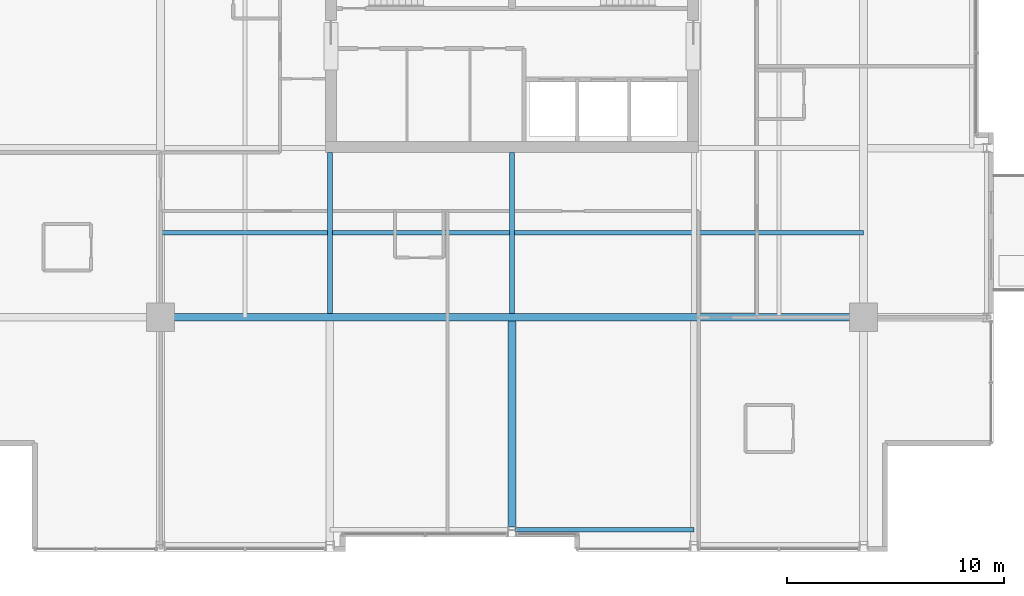
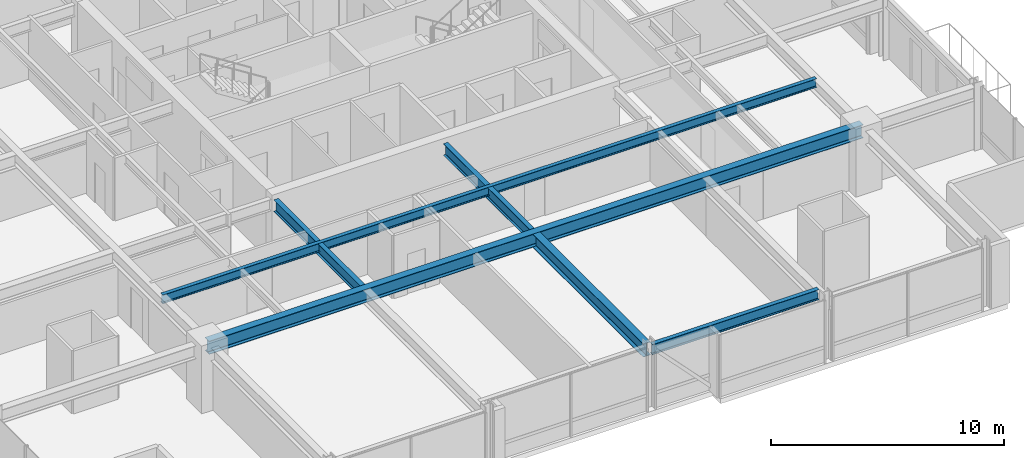
# One storey, part 6 of 33: 6 beams.
"""IFC4 building model written with IfcOpenShell, lengths in metres."""

from ifc_helpers import new_model, si_unit, direction, frame, origin, origin_2d, place, context, subcontext, project, spatial, i_section, extrude, material, material_profile, profile_set, type_object, element, save


model = new_model("IFC4")

# Units and contexts
model_context = context("Model", 3, precision=1e-05, world=origin(), true_north=direction((0.0, 1.0)))
body_context = subcontext(model_context, "Body", "Model", "MODEL_VIEW")
ifc_project = project(units=[si_unit("LENGTHUNIT", "METRE"), si_unit("AREAUNIT", "SQUARE_METRE"), si_unit("VOLUMEUNIT", "CUBIC_METRE"), si_unit("PLANEANGLEUNIT", "RADIAN"), si_unit("MASSUNIT", "GRAM", prefix="KILO")], contexts=[model_context])

# Site, building, storey
site_placement = place(None, origin())
site = spatial("IfcSite", under=ifc_project, at=site_placement, CompositionType="ELEMENT")
building_placement = place(site_placement, origin())
building = spatial("IfcBuilding", under=site, at=building_placement, Name="Drelvath Grand Hotel", CompositionType="ELEMENT")
storey_placement = place(building_placement, frame((0.0, 0.0, 161.050048828125)))
storey = spatial("IfcBuildingStorey", under=building, at=storey_placement, Name="L41", CompositionType="ELEMENT", Elevation=161.050048828125)

# Beams
ifc_material = material(Name="Steel ASTM A992 Gr 50", Category="steel")
ifc_material_profile_1 = material_profile(ifc_material, i_section(OverallWidth=0.19140625, OverallDepth=0.4599609375, WebThickness=0.010009765625, FlangeThickness=0.01611328125, FilletRadius=0.01611328125, at=origin_2d()), Name="W18X55")
ifc_profile_set_1 = profile_set([ifc_material_profile_1], Name="Steel ASTM A992 Gr 50")
beam_type_1 = type_object("IfcBeamType", Name="Composite Floor Joist W18X55", PredefinedType="JOIST", material=ifc_profile_set_1)
beam_1_placement = place(storey_placement, frame((-16.199951171875, 14.699951171875, 3.06005859375), z_axis=(1.0, 0.0, 0.0), x_axis=(0.0, 1.0, 0.0)))
element("IfcBeam", 1, at=beam_1_placement, inside=storey, type_object=beam_type_1, Name="L41 Floor Joist J1", PredefinedType="JOIST", context=body_context, shape_type="SweptSolid", body=[
    extrude(i_section(OverallWidth=0.19140625, OverallDepth=0.4599609375, WebThickness=0.010009765625, FlangeThickness=0.01611328125, FilletRadius=0.01611328125, at=origin_2d()), origin(), (0.0, 0.0, 1.0), 32.39990234375),
])
ifc_material_profile_2 = material_profile(ifc_material, i_section(OverallWidth=0.210205078125, OverallDepth=0.53662109375, WebThickness=0.010986328125, FlangeThickness=0.017333984375, FilletRadius=0.01806640625, at=origin_2d()), Name="W21X68")
ifc_profile_set_2 = profile_set([ifc_material_profile_2], Name="Steel ASTM A992 Gr 50")
beam_type_2 = type_object("IfcBeamType", Name="Perimeter Spandrel Beam W21X68", PredefinedType="SPANDREL", material=ifc_profile_set_2)
beam_2_placement = place(storey_placement, frame((0.139892578125, 1.0, 3.021728515625), z_axis=(1.0, 0.0, 0.0), x_axis=(0.0, 1.0, 0.0)))
element("IfcBeam", 2, at=beam_2_placement, inside=storey, type_object=beam_type_2, Name="L41 Spandrel South Mid E", PredefinedType="SPANDREL", context=body_context, shape_type="SweptSolid", body=[
    extrude(i_section(OverallWidth=0.210205078125, OverallDepth=0.53662109375, WebThickness=0.010986328125, FlangeThickness=0.017333984375, FilletRadius=0.01806640625, at=origin_2d()), origin(), (0.0, 0.0, 1.0), 8.260009765625),
])
ifc_material_profile_3 = material_profile(ifc_material, i_section(OverallWidth=0.228271484375, OverallDepth=0.607666015625, WebThickness=0.01123046875, FlangeThickness=0.017333984375, FilletRadius=0.02001953125, at=origin_2d()), Name="W24X76")
ifc_profile_set_3 = profile_set([ifc_material_profile_3], Name="Steel ASTM A992 Gr 50")
beam_type_3 = type_object("IfcBeamType", Name="Primary Floor Girder W24X76", PredefinedType="BEAM", material=ifc_profile_set_3)
for number, where, z_axis, x_axis, name in (
    (3, (-8.39990234375, 10.977294921875, 2.986083984375), (0.0, 1.0, 0.0), (-1.0, 0.0, 0.0), "L41 South Core Tie 4"),
    (4, (0.0, 10.977294921875, 2.986083984375), (0.0, 1.0, 0.0), (-1.0, 0.0, 0.0), "L41 South Core Tie 5"),
):
    element("IfcBeam", number, at=place(storey_placement, frame(where, z_axis=z_axis, x_axis=x_axis)), inside=storey, type_object=beam_type_3, Name=name, PredefinedType="BEAM", context=body_context, shape_type="SweptSolid", body=[
        extrude(i_section(OverallWidth=0.228271484375, OverallDepth=0.607666015625, WebThickness=0.01123046875, FlangeThickness=0.017333984375, FilletRadius=0.02001953125, at=origin_2d()), origin(), (0.0, 0.0, 1.0), 7.422607421875),
    ])
ifc_material_profile_4 = material_profile(ifc_material, i_section(OverallWidth=0.354736328125, OverallDepth=0.695556640625, WebThickness=0.015380859375, FlangeThickness=0.025146484375, FilletRadius=0.02392578125, at=origin_2d()), Name="W27X146")
ifc_profile_set_4 = profile_set([ifc_material_profile_4], Name="Steel ASTM A992 Gr 50")
beam_type_4 = type_object("IfcBeamType", Name="Primary Floor Girder W27X146", PredefinedType="BEAM", material=ifc_profile_set_4)
beam_3_placement = place(storey_placement, frame((-16.199951171875, 10.800048828125, 2.942138671875), z_axis=(1.0, 0.0, 0.0), x_axis=(0.0, 1.0, 0.0)))
element("IfcBeam", 5, at=beam_3_placement, inside=storey, type_object=beam_type_4, Name="L41 Mega Ring Girder South", PredefinedType="BEAM", context=body_context, shape_type="SweptSolid", body=[
    extrude(i_section(OverallWidth=0.354736328125, OverallDepth=0.695556640625, WebThickness=0.015380859375, FlangeThickness=0.025146484375, FilletRadius=0.02392578125, at=origin_2d()), origin(), (0.0, 0.0, 1.0), 32.39990234375),
])
beam_4_placement = place(storey_placement, frame((0.0, 1.139892578125, 2.942138671875), z_axis=(0.0, 1.0, 0.0), x_axis=(-1.0, 0.0, 0.0)))
element("IfcBeam", 6, at=beam_4_placement, inside=storey, type_object=beam_type_4, Name="L41 South Wing Girder 5", PredefinedType="BEAM", context=body_context, shape_type="SweptSolid", body=[
    extrude(i_section(OverallWidth=0.354736328125, OverallDepth=0.695556640625, WebThickness=0.015380859375, FlangeThickness=0.025146484375, FilletRadius=0.02392578125, at=origin_2d()), origin(), (0.0, 0.0, 1.0), 9.482666015625),
])

save(model, "model.ifc")
